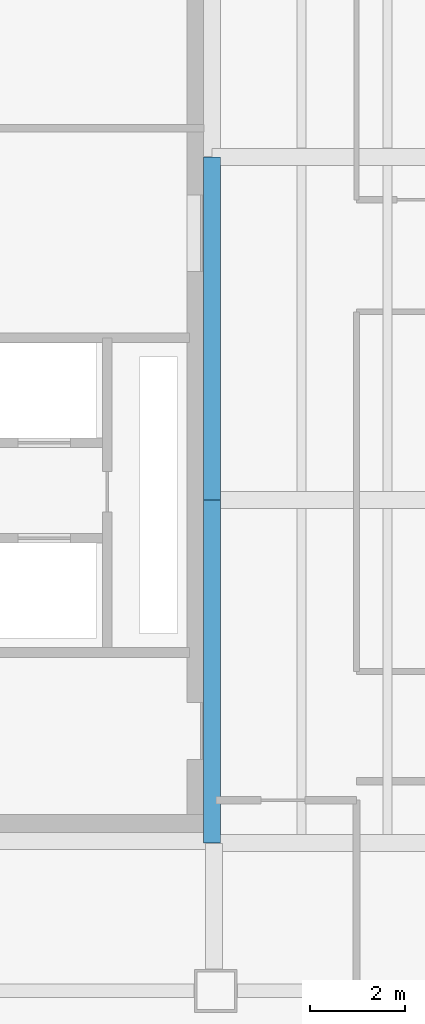
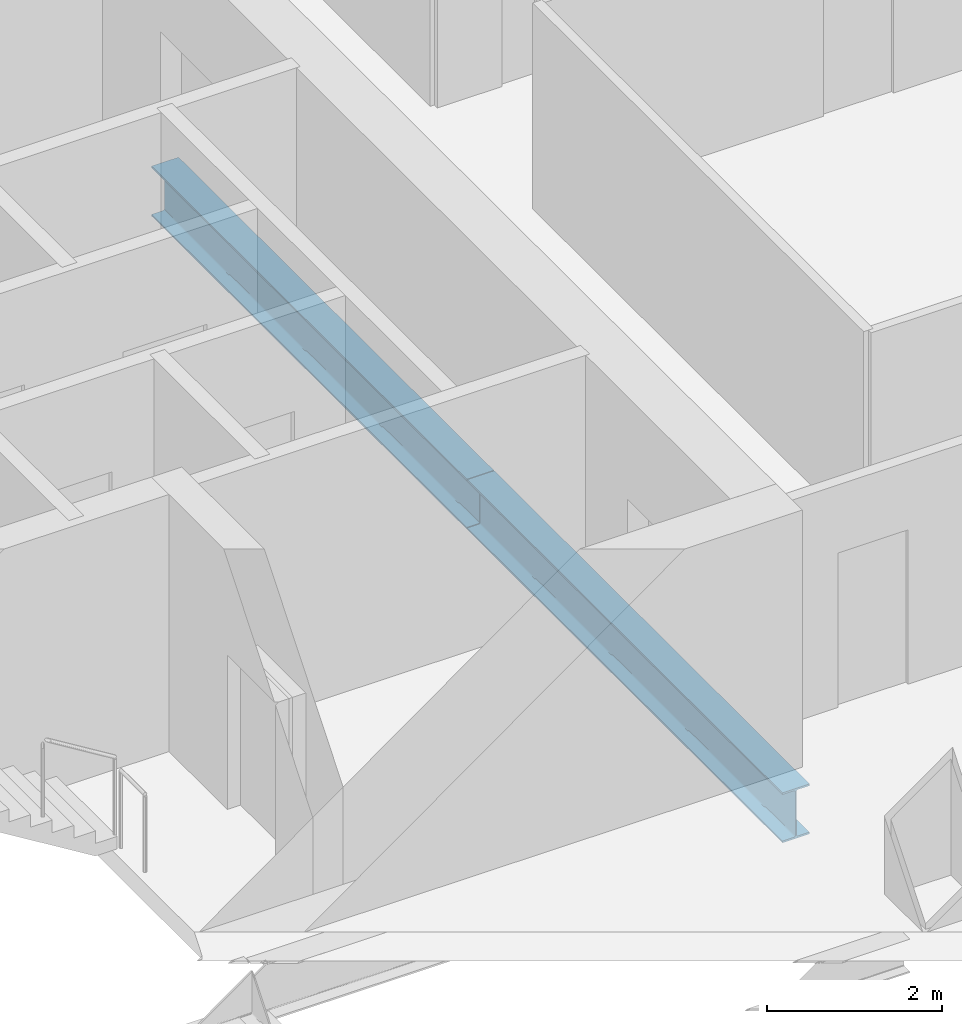
# One storey, part 3 of 23: 2 beams.
"""IFC4 building model written with IfcOpenShell, lengths in metres."""

from ifc_helpers import new_model, si_unit, direction, frame, origin, origin_2d, place, context, subcontext, project, spatial, i_section, extrude, material, material_profile, profile_set, type_object, element, save


model = new_model("IFC4")

# Units and contexts
model_context = context("Model", 3, precision=1e-05, world=origin(), true_north=direction((0.0, 1.0)))
body_context = subcontext(model_context, "Body", "Model", "MODEL_VIEW")
ifc_project = project(units=[si_unit("LENGTHUNIT", "METRE"), si_unit("AREAUNIT", "SQUARE_METRE"), si_unit("VOLUMEUNIT", "CUBIC_METRE"), si_unit("PLANEANGLEUNIT", "RADIAN"), si_unit("MASSUNIT", "GRAM", prefix="KILO")], contexts=[model_context])

# Site, building, storey
site_placement = place(None, origin())
site = spatial("IfcSite", under=ifc_project, at=site_placement, CompositionType="ELEMENT")
building_placement = place(site_placement, origin())
building = spatial("IfcBuilding", under=site, at=building_placement, Name="Cobrela Telecom Tower", CompositionType="ELEMENT")
storey_placement = place(building_placement, frame((0.0, 0.0, 125.300048828125)))
storey = spatial("IfcBuildingStorey", under=building, at=storey_placement, Name="L31", CompositionType="ELEMENT", Elevation=125.300048828125)

# Beams
ifc_material = material(Name="Steel ASTM A992 Grade 50", Category="steel")
ifc_material_profile = material_profile(ifc_material, i_section(OverallWidth=0.35595703125, OverallDepth=0.696044921875, WebThickness=0.015380859375, FlangeThickness=0.024658203125, FilletRadius=0.01806640625, at=origin_2d()), Name="W27X146")
ifc_profile_set = profile_set([ifc_material_profile], Name="Steel ASTM A992 Grade 50")
beam_type = type_object("IfcBeamType", Name="BM-GIRD-05", PredefinedType="USERDEFINED", material=ifc_profile_set)
for number, where, z_axis, x_axis, name in (
    (1, (14.320068359375, 7.205078125, -0.6181640625), (0.0, 1.0, 0.0), (-1.0, 0.0, 0.0), "L31 Primary Girder Y34"),
    (2, (14.320068359375, 14.405029296875, -0.6181640625), (0.0, 1.0, 0.0), (-1.0, 0.0, 0.0), "L31 Primary Girder Y35"),
):
    element("IfcBeam", number, at=place(storey_placement, frame(where, z_axis=z_axis, x_axis=x_axis)), inside=storey, type_object=beam_type, Name=name, ObjectType="GIRDER", PredefinedType="USERDEFINED", context=body_context, shape_type="SweptSolid", body=[
        extrude(i_section(OverallWidth=0.35595703125, OverallDepth=0.696044921875, WebThickness=0.015380859375, FlangeThickness=0.024658203125, FilletRadius=0.01806640625, at=origin_2d()), origin(), (0.0, 0.0, 1.0), 7.18994140625),
    ])

save(model, "model.ifc")
